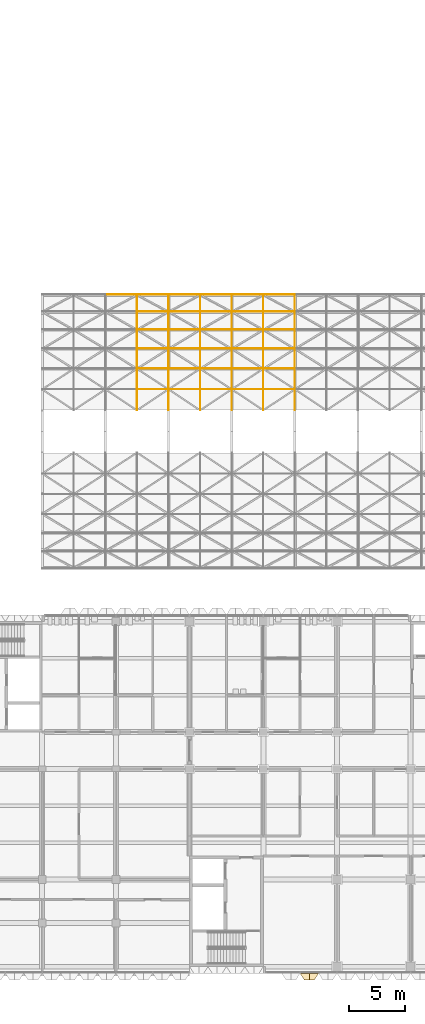
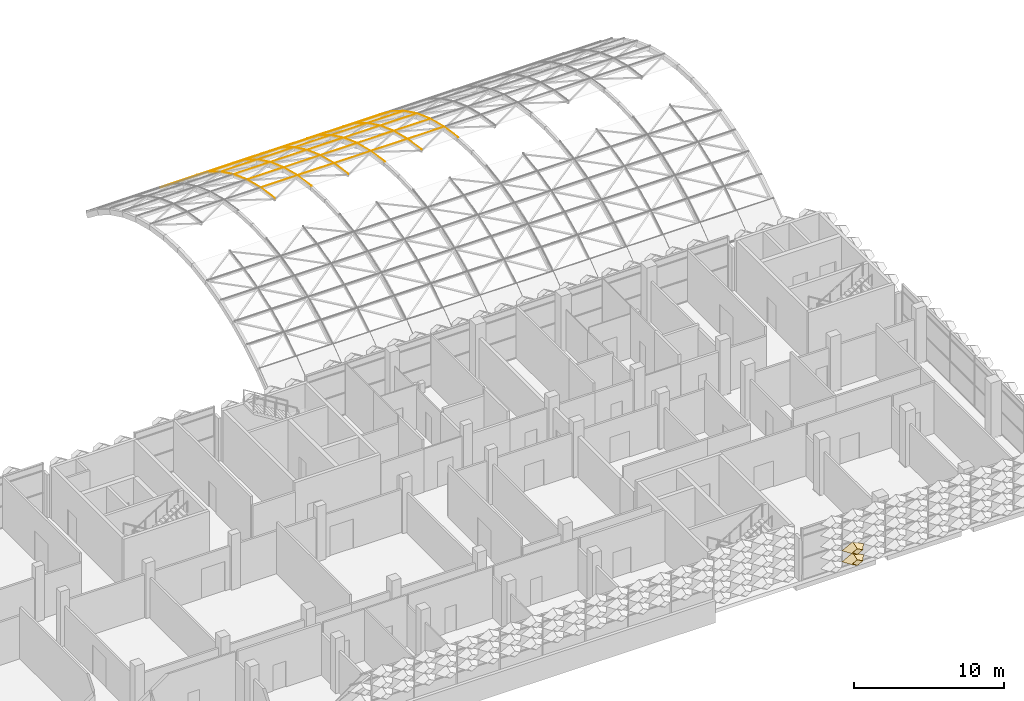
# One storey, part 59 of 85: 69 coverings.
"""IFC4 building model written with IfcOpenShell, lengths in metres."""

from ifc_helpers import new_model, entity, si_unit, direction, frame, origin, origin_2d, place, context, subcontext, project, spatial, rectangle, extrude, material, layer, layer_set, material_profile, profile_set, type_object, element, save


model = new_model("IFC4")

# Units and contexts
model_context = context("Model", 3, precision=1e-05, world=origin(), true_north=direction((0.0, 1.0)))
body_context = subcontext(model_context, "Body", "Model", "MODEL_VIEW")
ifc_project = project(units=[si_unit("LENGTHUNIT", "METRE"), si_unit("AREAUNIT", "SQUARE_METRE"), si_unit("VOLUMEUNIT", "CUBIC_METRE"), si_unit("PLANEANGLEUNIT", "RADIAN"), si_unit("MASSUNIT", "GRAM", prefix="KILO")], contexts=[model_context])

# Site, building, storey
site_placement = place(None, origin())
site = spatial("IfcSite", under=ifc_project, at=site_placement, CompositionType="ELEMENT")
building_placement = place(site_placement, origin())
building = spatial("IfcBuilding", under=site, at=building_placement, Name="Lantern Court Research Institute", CompositionType="ELEMENT")
storey_placement = place(building_placement, frame((0.0, 0.0, 18.89990234375)))
storey = spatial("IfcBuildingStorey", under=building, at=storey_placement, Name="L04", CompositionType="ELEMENT", Elevation=18.89990234375)

# Coverings
ifc_material_1 = material(Name="Anodised aluminium", Category="aluminium")
ifc_layer = layer(ifc_material_1, 0.01611328125)
ifc_layer_set = layer_set([ifc_layer], Name="Anodised aluminium")
covering_type_1 = type_object("IfcCoveringType", Name="Fin cassette 1650 x 900 x 600 aluminium", PredefinedType="CLADDING", material=ifc_layer_set)
covering_1_placement = place(storey_placement, frame((63.52490234375, -8.39990234375, 0.4501953125), z_axis=(0.0, -1.0, 0.0), x_axis=(1.0, 0.0, 0.0)))
cartesian_point_1 = entity("IfcCartesianPoint", [0.824951171875, 0.0])
cartesian_point_2 = entity("IfcCartesianPoint", [0.79150390625, 0.0])
cartesian_point_3 = entity("IfcCartesianPoint", [0.44189453125, 0.0])
cartesian_point_4 = entity("IfcCartesianPoint", [0.43359375, 0.0])
element("IfcCovering", 1, at=covering_1_placement, inside=storey, type_object=covering_type_1, Name="Fin cassette V5S-L04 1.39", PredefinedType="CLADDING", context=body_context, shape_type="SweptSolid", body=[
    entity("IfcExtrudedAreaSolidTapered", entity("IfcArbitraryProfileDefWithVoids", "AREA", None, entity("IfcPolyline", [cartesian_point_1, entity("IfcCartesianPoint", [0.0, 0.449951171875]), entity("IfcCartesianPoint", [-0.824951171875, 0.0]), entity("IfcCartesianPoint", [0.0, -0.449951171875]), cartesian_point_1]), [entity("IfcPolyline", [cartesian_point_2, entity("IfcCartesianPoint", [0.0, 0.431884765625]), entity("IfcCartesianPoint", [-0.79150390625, 0.0]), entity("IfcCartesianPoint", [0.0, -0.431884765625]), cartesian_point_2])]), entity("IfcAxis2Placement3D", entity("IfcCartesianPoint", [0.0, 0.0, 0.0])), entity("IfcDirection", [0.0, 0.0, 1.0]), 0.60009765625, entity("IfcArbitraryProfileDefWithVoids", "AREA", None, entity("IfcPolyline", [cartesian_point_3, entity("IfcCartesianPoint", [0.0, 0.240966796875]), entity("IfcCartesianPoint", [-0.44189453125, 0.0]), entity("IfcCartesianPoint", [0.0, -0.240966796875]), cartesian_point_3]), [entity("IfcPolyline", [cartesian_point_4, entity("IfcCartesianPoint", [0.0, 0.236572265625]), entity("IfcCartesianPoint", [-0.43359375, 0.0]), entity("IfcCartesianPoint", [0.0, -0.236572265625]), cartesian_point_4])])),
])
covering_2_placement = place(storey_placement, frame((63.52490234375, -8.39990234375, 1.35009765625), z_axis=(0.0, -1.0, 0.0), x_axis=(1.0, 0.0, 0.0)))
cartesian_point_5 = entity("IfcCartesianPoint", [0.824951171875, 0.0])
cartesian_point_6 = entity("IfcCartesianPoint", [0.79150390625, 0.0])
cartesian_point_7 = entity("IfcCartesianPoint", [0.44189453125, 0.0])
cartesian_point_8 = entity("IfcCartesianPoint", [0.43359375, 0.0])
element("IfcCovering", 2, at=covering_2_placement, inside=storey, type_object=covering_type_1, Name="Fin cassette V5S-L04 2.39", PredefinedType="CLADDING", context=body_context, shape_type="SweptSolid", body=[
    entity("IfcExtrudedAreaSolidTapered", entity("IfcArbitraryProfileDefWithVoids", "AREA", None, entity("IfcPolyline", [cartesian_point_5, entity("IfcCartesianPoint", [0.0, 0.449951171875]), entity("IfcCartesianPoint", [-0.824951171875, 0.0]), entity("IfcCartesianPoint", [0.0, -0.449951171875]), cartesian_point_5]), [entity("IfcPolyline", [cartesian_point_6, entity("IfcCartesianPoint", [0.0, 0.431884765625]), entity("IfcCartesianPoint", [-0.79150390625, 0.0]), entity("IfcCartesianPoint", [0.0, -0.431884765625]), cartesian_point_6])]), entity("IfcAxis2Placement3D", entity("IfcCartesianPoint", [0.0, 0.0, 0.0])), entity("IfcDirection", [0.0, 0.0, 1.0]), 0.60009765625, entity("IfcArbitraryProfileDefWithVoids", "AREA", None, entity("IfcPolyline", [cartesian_point_7, entity("IfcCartesianPoint", [0.0, 0.240966796875]), entity("IfcCartesianPoint", [-0.44189453125, 0.0]), entity("IfcCartesianPoint", [0.0, -0.240966796875]), cartesian_point_7]), [entity("IfcPolyline", [cartesian_point_8, entity("IfcCartesianPoint", [0.0, 0.236572265625]), entity("IfcCartesianPoint", [-0.43359375, 0.0]), entity("IfcCartesianPoint", [0.0, -0.236572265625]), cartesian_point_8])])),
])
ifc_material_2 = material(Name="Aluminium alloy 6063-T6", Category="aluminium")
ifc_material_profile_1 = material_profile(ifc_material_2, rectangle(XDim=0.01806640625, YDim=0.035888671875, at=origin_2d()), Name="Joint cover bar 18 x 36")
ifc_profile_set_1 = profile_set([ifc_material_profile_1], Name="Aluminium alloy 6063-T6")
covering_type_2 = type_object("IfcCoveringType", Name="Joint cover bar 18 x 36", PredefinedType="MOLDING", material=ifc_profile_set_1)
for number, where, z_axis, x_axis, name in (
    (3, (48.085693359375, 42.02783203125, 4.6220703125), (0.0, 0.988622571714, -0.150417454764), (-1.0, 0.0, 0.0), "Joint cover bar"),
    (4, (48.085693359375, 43.910400390625, 4.33544921875), (0.0, 0.968474356566, -0.249113268764), (-1.0, 0.0, 0.0), "Joint cover bar"),
):
    element("IfcCovering", number, at=place(storey_placement, frame(where, z_axis=z_axis, x_axis=x_axis)), inside=storey, type_object=covering_type_2, Name=name, PredefinedType="MOLDING", context=body_context, shape_type="SweptSolid", body=[
        extrude(rectangle(XDim=0.01806640625, YDim=0.035888671875, at=origin_2d()), origin(), (0.0, 0.0, 1.0), 1.90234375),
    ])
for number, where, z_axis, x_axis, name in (
    (5, (48.095703125, 43.909423828125, 4.335693359375), (1.0, 0.0, 0.0), (0.0, 0.979787176632, -0.200042716708), "Joint cover bar"),
    (6, (48.095703125, 45.753662109375, 3.861328125), (1.0, 0.0, 0.0), (0.0, 0.954713115517, -0.29752792652), "Joint cover bar"),
):
    element("IfcCovering", number, at=place(storey_placement, frame(where, z_axis=z_axis, x_axis=x_axis)), inside=storey, type_object=covering_type_2, Name=name, PredefinedType="MOLDING", context=body_context, shape_type="SweptSolid", body=[
        extrude(rectangle(XDim=0.01806640625, YDim=0.035888671875, at=origin_2d()), origin(), (0.0, 0.0, 1.0), 2.80859375),
    ])
for number, where, z_axis, x_axis, name in (
    (7, (50.914306640625, 42.02783203125, 4.6220703125), (0.0, 0.988622571714, -0.150417454764), (-1.0, 0.0, 0.0), "Joint cover bar"),
    (8, (50.914306640625, 43.910400390625, 4.33544921875), (0.0, 0.968474356566, -0.249113268764), (-1.0, 0.0, 0.0), "Joint cover bar"),
):
    element("IfcCovering", number, at=place(storey_placement, frame(where, z_axis=z_axis, x_axis=x_axis)), inside=storey, type_object=covering_type_2, Name=name, PredefinedType="MOLDING", context=body_context, shape_type="SweptSolid", body=[
        extrude(rectangle(XDim=0.01806640625, YDim=0.035888671875, at=origin_2d()), origin(), (0.0, 0.0, 1.0), 1.90234375),
    ])
for number, where, z_axis, x_axis, name in (
    (9, (50.92431640625, 43.909423828125, 4.335693359375), (1.0, 0.0, 0.0), (0.0, 0.979787176632, -0.200042716708), "Joint cover bar"),
    (10, (50.92431640625, 45.753662109375, 3.861328125), (1.0, 0.0, 0.0), (0.0, 0.954713115517, -0.29752792652), "Joint cover bar"),
):
    element("IfcCovering", number, at=place(storey_placement, frame(where, z_axis=z_axis, x_axis=x_axis)), inside=storey, type_object=covering_type_2, Name=name, PredefinedType="MOLDING", context=body_context, shape_type="SweptSolid", body=[
        extrude(rectangle(XDim=0.01806640625, YDim=0.035888671875, at=origin_2d()), origin(), (0.0, 0.0, 1.0), 2.80859375),
    ])
for number, where, z_axis, x_axis, name in (
    (11, (53.742919921875, 42.02783203125, 4.6220703125), (0.0, 0.988622571714, -0.150417454764), (-1.0, 0.0, 0.0), "Joint cover bar"),
    (12, (53.742919921875, 43.910400390625, 4.33544921875), (0.0, 0.968474356566, -0.249113268764), (-1.0, 0.0, 0.0), "Joint cover bar"),
):
    element("IfcCovering", number, at=place(storey_placement, frame(where, z_axis=z_axis, x_axis=x_axis)), inside=storey, type_object=covering_type_2, Name=name, PredefinedType="MOLDING", context=body_context, shape_type="SweptSolid", body=[
        extrude(rectangle(XDim=0.01806640625, YDim=0.035888671875, at=origin_2d()), origin(), (0.0, 0.0, 1.0), 1.90234375),
    ])
for number, where, z_axis, x_axis, name in (
    (13, (53.7529296875, 43.909423828125, 4.335693359375), (1.0, 0.0, 0.0), (0.0, 0.979787176632, -0.200042716708), "Joint cover bar"),
    (14, (53.7529296875, 45.753662109375, 3.861328125), (1.0, 0.0, 0.0), (0.0, 0.954713115517, -0.29752792652), "Joint cover bar"),
):
    element("IfcCovering", number, at=place(storey_placement, frame(where, z_axis=z_axis, x_axis=x_axis)), inside=storey, type_object=covering_type_2, Name=name, PredefinedType="MOLDING", context=body_context, shape_type="SweptSolid", body=[
        extrude(rectangle(XDim=0.01806640625, YDim=0.035888671875, at=origin_2d()), origin(), (0.0, 0.0, 1.0), 2.80859375),
    ])
for number, where, z_axis, x_axis, name in (
    (15, (56.571533203125, 42.02783203125, 4.6220703125), (0.0, 0.988622571714, -0.150417454764), (-1.0, 0.0, 0.0), "Joint cover bar"),
    (16, (56.571533203125, 43.910400390625, 4.33544921875), (0.0, 0.968474356566, -0.249113268764), (-1.0, 0.0, 0.0), "Joint cover bar"),
):
    element("IfcCovering", number, at=place(storey_placement, frame(where, z_axis=z_axis, x_axis=x_axis)), inside=storey, type_object=covering_type_2, Name=name, PredefinedType="MOLDING", context=body_context, shape_type="SweptSolid", body=[
        extrude(rectangle(XDim=0.01806640625, YDim=0.035888671875, at=origin_2d()), origin(), (0.0, 0.0, 1.0), 1.90234375),
    ])
for number, where, z_axis, x_axis, name in (
    (17, (56.58154296875, 43.909423828125, 4.335693359375), (1.0, 0.0, 0.0), (0.0, 0.979787176632, -0.200042716708), "Joint cover bar"),
    (18, (56.58154296875, 45.753662109375, 3.861328125), (1.0, 0.0, 0.0), (0.0, 0.954713115517, -0.29752792652), "Joint cover bar"),
):
    element("IfcCovering", number, at=place(storey_placement, frame(where, z_axis=z_axis, x_axis=x_axis)), inside=storey, type_object=covering_type_2, Name=name, PredefinedType="MOLDING", context=body_context, shape_type="SweptSolid", body=[
        extrude(rectangle(XDim=0.01806640625, YDim=0.035888671875, at=origin_2d()), origin(), (0.0, 0.0, 1.0), 2.808349609375),
    ])
for number, where, z_axis, x_axis, name in (
    (19, (59.39990234375, 42.02783203125, 4.6220703125), (0.0, 0.988622571714, -0.150417454764), (-1.0, 0.0, 0.0), "Joint cover bar"),
    (20, (59.39990234375, 43.910400390625, 4.33544921875), (0.0, 0.968474356566, -0.249113268764), (-1.0, 0.0, 0.0), "Joint cover bar"),
):
    element("IfcCovering", number, at=place(storey_placement, frame(where, z_axis=z_axis, x_axis=x_axis)), inside=storey, type_object=covering_type_2, Name=name, PredefinedType="MOLDING", context=body_context, shape_type="SweptSolid", body=[
        extrude(rectangle(XDim=0.01806640625, YDim=0.035888671875, at=origin_2d()), origin(), (0.0, 0.0, 1.0), 1.90234375),
    ])
for number, where, z_axis, x_axis, name in (
    (21, (59.409912109375, 43.909423828125, 4.335693359375), (1.0, 0.0, 0.0), (0.0, 0.979787176632, -0.200042716708), "Joint cover bar"),
    (22, (59.409912109375, 45.753662109375, 3.861328125), (1.0, 0.0, 0.0), (0.0, 0.954713115517, -0.29752792652), "Joint cover bar"),
):
    element("IfcCovering", number, at=place(storey_placement, frame(where, z_axis=z_axis, x_axis=x_axis)), inside=storey, type_object=covering_type_2, Name=name, PredefinedType="MOLDING", context=body_context, shape_type="SweptSolid", body=[
        extrude(rectangle(XDim=0.01806640625, YDim=0.035888671875, at=origin_2d()), origin(), (0.0, 0.0, 1.0), 2.80859375),
    ])
for number, where, z_axis, x_axis, name in (
    (23, (62.228515625, 42.02783203125, 4.6220703125), (0.0, 0.988622571714, -0.150417454764), (-1.0, 0.0, 0.0), "Joint cover bar"),
    (24, (62.228515625, 43.910400390625, 4.33544921875), (0.0, 0.968474356566, -0.249113268764), (-1.0, 0.0, 0.0), "Joint cover bar"),
):
    element("IfcCovering", number, at=place(storey_placement, frame(where, z_axis=z_axis, x_axis=x_axis)), inside=storey, type_object=covering_type_2, Name=name, PredefinedType="MOLDING", context=body_context, shape_type="SweptSolid", body=[
        extrude(rectangle(XDim=0.01806640625, YDim=0.035888671875, at=origin_2d()), origin(), (0.0, 0.0, 1.0), 1.90234375),
    ])
ifc_material_3 = material(Name="Aluminium alloy 6063-T6", Category="aluminium")
ifc_material_profile_2 = material_profile(ifc_material_3, rectangle(XDim=0.01806640625, YDim=0.0439453125, at=origin_2d()), Name="Joint cover bar 18 x 44")
ifc_profile_set_2 = profile_set([ifc_material_profile_2], Name="Aluminium alloy 6063-T6")
covering_type_3 = type_object("IfcCoveringType", Name="Joint cover bar 18 x 44", PredefinedType="MOLDING", material=ifc_profile_set_2)
covering_3_placement = place(storey_placement, frame((45.26708984375, 52.3857421875, 0.21240234375), z_axis=(1.0, 0.0, 0.0), x_axis=(0.0, 0.761672913152, -0.647961706717)))
element("IfcCovering", 25, at=covering_3_placement, inside=storey, type_object=covering_type_3, Name="Joint cover bar", PredefinedType="MOLDING", context=body_context, shape_type="SweptSolid", body=[
    extrude(rectangle(XDim=0.01806640625, YDim=0.0439453125, at=origin_2d()), origin(), (0.0, 0.0, 1.0), 2.80859375),
])
covering_4_placement = place(storey_placement, frame((48.085693359375, 45.755859375, 3.86474609375), z_axis=(0.0, 0.938520472327, -0.345223584105), x_axis=(-1.0, 0.0, 0.0)))
element("IfcCovering", 26, at=covering_4_placement, inside=storey, type_object=covering_type_3, Name="Joint cover bar", PredefinedType="MOLDING", context=body_context, shape_type="SweptSolid", body=[
    extrude(rectangle(XDim=0.01806640625, YDim=0.0439453125, at=origin_2d()), origin(), (0.0, 0.0, 1.0), 1.90234375),
])
covering_5_placement = place(storey_placement, frame((48.085693359375, 47.54345703125, 3.207275390625), z_axis=(0.0, 0.899049454889, -0.437847093931), x_axis=(-1.0, 0.0, 0.0)))
element("IfcCovering", 27, at=covering_5_placement, inside=storey, type_object=covering_type_3, Name="Joint cover bar", PredefinedType="MOLDING", context=body_context, shape_type="SweptSolid", body=[
    extrude(rectangle(XDim=0.01806640625, YDim=0.0439453125, at=origin_2d()), origin(), (0.0, 0.0, 1.0), 1.902587890625),
])
covering_6_placement = place(storey_placement, frame((48.095703125, 47.54248046875, 3.207763671875), z_axis=(1.0, 0.0, 0.0), x_axis=(0.0, 0.919965822984, -0.391998577219)))
element("IfcCovering", 28, at=covering_6_placement, inside=storey, type_object=covering_type_3, Name="Joint cover bar", PredefinedType="MOLDING", context=body_context, shape_type="SweptSolid", body=[
    extrude(rectangle(XDim=0.01806640625, YDim=0.0439453125, at=origin_2d()), origin(), (0.0, 0.0, 1.0), 2.80859375),
])
covering_7_placement = place(storey_placement, frame((48.085693359375, 49.255859375, 2.373291015625), z_axis=(0.0, 0.850462004525, -0.526036480541), x_axis=(-1.0, 0.0, 0.0)))
element("IfcCovering", 29, at=covering_7_placement, inside=storey, type_object=covering_type_3, Name="Joint cover bar", PredefinedType="MOLDING", context=body_context, shape_type="SweptSolid", body=[
    extrude(rectangle(XDim=0.01806640625, YDim=0.0439453125, at=origin_2d()), origin(), (0.0, 0.0, 1.0), 1.90234375),
])
covering_8_placement = place(storey_placement, frame((48.095703125, 49.2548828125, 2.373779296875), z_axis=(1.0, 0.0, 0.0), x_axis=(0.0, 0.875897373228, -0.482497452399)))
element("IfcCovering", 30, at=covering_8_placement, inside=storey, type_object=covering_type_3, Name="Joint cover bar", PredefinedType="MOLDING", context=body_context, shape_type="SweptSolid", body=[
    extrude(rectangle(XDim=0.01806640625, YDim=0.0439453125, at=origin_2d()), origin(), (0.0, 0.0, 1.0), 2.80859375),
])
covering_9_placement = place(storey_placement, frame((48.085693359375, 50.875732421875, 1.371337890625), z_axis=(0.0, 0.793329505358, -0.608792490039), x_axis=(-1.0, 0.0, 0.0)))
element("IfcCovering", 31, at=covering_9_placement, inside=storey, type_object=covering_type_3, Name="Joint cover bar", PredefinedType="MOLDING", context=body_context, shape_type="SweptSolid", body=[
    extrude(rectangle(XDim=0.01806640625, YDim=0.0439453125, at=origin_2d()), origin(), (0.0, 0.0, 1.0), 1.90234375),
])
for number, where, z_axis, x_axis, name in (
    (32, (48.095703125, 50.874755859375, 1.3720703125), (1.0, 0.0, 0.0), (0.0, 0.822954255966, -0.568107641726), "Joint cover bar"),
    (33, (48.095703125, 52.3857421875, 0.21240234375), (1.0, 0.0, 0.0), (0.0, 0.761672913152, -0.647961706717), "Joint cover bar"),
):
    element("IfcCovering", number, at=place(storey_placement, frame(where, z_axis=z_axis, x_axis=x_axis)), inside=storey, type_object=covering_type_3, Name=name, PredefinedType="MOLDING", context=body_context, shape_type="SweptSolid", body=[
        extrude(rectangle(XDim=0.01806640625, YDim=0.0439453125, at=origin_2d()), origin(), (0.0, 0.0, 1.0), 2.80859375),
    ])
covering_10_placement = place(storey_placement, frame((50.914306640625, 45.755859375, 3.86474609375), z_axis=(0.0, 0.938520472327, -0.345223584105), x_axis=(-1.0, 0.0, 0.0)))
element("IfcCovering", 34, at=covering_10_placement, inside=storey, type_object=covering_type_3, Name="Joint cover bar", PredefinedType="MOLDING", context=body_context, shape_type="SweptSolid", body=[
    extrude(rectangle(XDim=0.01806640625, YDim=0.0439453125, at=origin_2d()), origin(), (0.0, 0.0, 1.0), 1.90234375),
])
covering_11_placement = place(storey_placement, frame((50.914306640625, 47.54345703125, 3.207275390625), z_axis=(0.0, 0.899049454889, -0.437847093931), x_axis=(-1.0, 0.0, 0.0)))
element("IfcCovering", 35, at=covering_11_placement, inside=storey, type_object=covering_type_3, Name="Joint cover bar", PredefinedType="MOLDING", context=body_context, shape_type="SweptSolid", body=[
    extrude(rectangle(XDim=0.01806640625, YDim=0.0439453125, at=origin_2d()), origin(), (0.0, 0.0, 1.0), 1.902587890625),
])
covering_12_placement = place(storey_placement, frame((50.92431640625, 47.54248046875, 3.207763671875), z_axis=(1.0, 0.0, 0.0), x_axis=(0.0, 0.919965822984, -0.391998577219)))
element("IfcCovering", 36, at=covering_12_placement, inside=storey, type_object=covering_type_3, Name="Joint cover bar", PredefinedType="MOLDING", context=body_context, shape_type="SweptSolid", body=[
    extrude(rectangle(XDim=0.01806640625, YDim=0.0439453125, at=origin_2d()), origin(), (0.0, 0.0, 1.0), 2.80859375),
])
covering_13_placement = place(storey_placement, frame((50.914306640625, 49.255859375, 2.373291015625), z_axis=(0.0, 0.850462004525, -0.526036480541), x_axis=(-1.0, 0.0, 0.0)))
element("IfcCovering", 37, at=covering_13_placement, inside=storey, type_object=covering_type_3, Name="Joint cover bar", PredefinedType="MOLDING", context=body_context, shape_type="SweptSolid", body=[
    extrude(rectangle(XDim=0.01806640625, YDim=0.0439453125, at=origin_2d()), origin(), (0.0, 0.0, 1.0), 1.90234375),
])
covering_14_placement = place(storey_placement, frame((50.92431640625, 49.2548828125, 2.373779296875), z_axis=(1.0, 0.0, 0.0), x_axis=(0.0, 0.875897373228, -0.482497452399)))
element("IfcCovering", 38, at=covering_14_placement, inside=storey, type_object=covering_type_3, Name="Joint cover bar", PredefinedType="MOLDING", context=body_context, shape_type="SweptSolid", body=[
    extrude(rectangle(XDim=0.01806640625, YDim=0.0439453125, at=origin_2d()), origin(), (0.0, 0.0, 1.0), 2.80859375),
])
covering_15_placement = place(storey_placement, frame((50.914306640625, 50.875732421875, 1.371337890625), z_axis=(0.0, 0.793329505358, -0.608792490039), x_axis=(-1.0, 0.0, 0.0)))
element("IfcCovering", 39, at=covering_15_placement, inside=storey, type_object=covering_type_3, Name="Joint cover bar", PredefinedType="MOLDING", context=body_context, shape_type="SweptSolid", body=[
    extrude(rectangle(XDim=0.01806640625, YDim=0.0439453125, at=origin_2d()), origin(), (0.0, 0.0, 1.0), 1.90234375),
])
for number, where, z_axis, x_axis, name in (
    (40, (50.92431640625, 50.874755859375, 1.3720703125), (1.0, 0.0, 0.0), (0.0, 0.822954255966, -0.568107641726), "Joint cover bar"),
    (41, (50.92431640625, 52.3857421875, 0.21240234375), (1.0, 0.0, 0.0), (0.0, 0.761672913152, -0.647961706717), "Joint cover bar"),
):
    element("IfcCovering", number, at=place(storey_placement, frame(where, z_axis=z_axis, x_axis=x_axis)), inside=storey, type_object=covering_type_3, Name=name, PredefinedType="MOLDING", context=body_context, shape_type="SweptSolid", body=[
        extrude(rectangle(XDim=0.01806640625, YDim=0.0439453125, at=origin_2d()), origin(), (0.0, 0.0, 1.0), 2.80859375),
    ])
covering_16_placement = place(storey_placement, frame((53.742919921875, 45.755859375, 3.86474609375), z_axis=(0.0, 0.938520472327, -0.345223584105), x_axis=(-1.0, 0.0, 0.0)))
element("IfcCovering", 42, at=covering_16_placement, inside=storey, type_object=covering_type_3, Name="Joint cover bar", PredefinedType="MOLDING", context=body_context, shape_type="SweptSolid", body=[
    extrude(rectangle(XDim=0.01806640625, YDim=0.0439453125, at=origin_2d()), origin(), (0.0, 0.0, 1.0), 1.90234375),
])
covering_17_placement = place(storey_placement, frame((53.742919921875, 47.54345703125, 3.207275390625), z_axis=(0.0, 0.899049454889, -0.437847093931), x_axis=(-1.0, 0.0, 0.0)))
element("IfcCovering", 43, at=covering_17_placement, inside=storey, type_object=covering_type_3, Name="Joint cover bar", PredefinedType="MOLDING", context=body_context, shape_type="SweptSolid", body=[
    extrude(rectangle(XDim=0.01806640625, YDim=0.0439453125, at=origin_2d()), origin(), (0.0, 0.0, 1.0), 1.902587890625),
])
covering_18_placement = place(storey_placement, frame((53.7529296875, 47.54248046875, 3.207763671875), z_axis=(1.0, 0.0, 0.0), x_axis=(0.0, 0.919965822984, -0.391998577219)))
element("IfcCovering", 44, at=covering_18_placement, inside=storey, type_object=covering_type_3, Name="Joint cover bar", PredefinedType="MOLDING", context=body_context, shape_type="SweptSolid", body=[
    extrude(rectangle(XDim=0.01806640625, YDim=0.0439453125, at=origin_2d()), origin(), (0.0, 0.0, 1.0), 2.80859375),
])
covering_19_placement = place(storey_placement, frame((53.742919921875, 49.255859375, 2.373291015625), z_axis=(0.0, 0.850462004525, -0.526036480541), x_axis=(-1.0, 0.0, 0.0)))
element("IfcCovering", 45, at=covering_19_placement, inside=storey, type_object=covering_type_3, Name="Joint cover bar", PredefinedType="MOLDING", context=body_context, shape_type="SweptSolid", body=[
    extrude(rectangle(XDim=0.01806640625, YDim=0.0439453125, at=origin_2d()), origin(), (0.0, 0.0, 1.0), 1.90234375),
])
covering_20_placement = place(storey_placement, frame((53.7529296875, 49.2548828125, 2.373779296875), z_axis=(1.0, 0.0, 0.0), x_axis=(0.0, 0.875897373228, -0.482497452399)))
element("IfcCovering", 46, at=covering_20_placement, inside=storey, type_object=covering_type_3, Name="Joint cover bar", PredefinedType="MOLDING", context=body_context, shape_type="SweptSolid", body=[
    extrude(rectangle(XDim=0.01806640625, YDim=0.0439453125, at=origin_2d()), origin(), (0.0, 0.0, 1.0), 2.80859375),
])
covering_21_placement = place(storey_placement, frame((53.742919921875, 50.875732421875, 1.371337890625), z_axis=(0.0, 0.793329505358, -0.608792490039), x_axis=(-1.0, 0.0, 0.0)))
element("IfcCovering", 47, at=covering_21_placement, inside=storey, type_object=covering_type_3, Name="Joint cover bar", PredefinedType="MOLDING", context=body_context, shape_type="SweptSolid", body=[
    extrude(rectangle(XDim=0.01806640625, YDim=0.0439453125, at=origin_2d()), origin(), (0.0, 0.0, 1.0), 1.90234375),
])
for number, where, z_axis, x_axis, name in (
    (48, (53.7529296875, 50.874755859375, 1.3720703125), (1.0, 0.0, 0.0), (0.0, 0.822954255966, -0.568107641726), "Joint cover bar"),
    (49, (53.7529296875, 52.3857421875, 0.21240234375), (1.0, 0.0, 0.0), (0.0, 0.761672913152, -0.647961706717), "Joint cover bar"),
):
    element("IfcCovering", number, at=place(storey_placement, frame(where, z_axis=z_axis, x_axis=x_axis)), inside=storey, type_object=covering_type_3, Name=name, PredefinedType="MOLDING", context=body_context, shape_type="SweptSolid", body=[
        extrude(rectangle(XDim=0.01806640625, YDim=0.0439453125, at=origin_2d()), origin(), (0.0, 0.0, 1.0), 2.80859375),
    ])
covering_22_placement = place(storey_placement, frame((56.571533203125, 45.755859375, 3.86474609375), z_axis=(0.0, 0.938520472327, -0.345223584105), x_axis=(-1.0, 0.0, 0.0)))
element("IfcCovering", 50, at=covering_22_placement, inside=storey, type_object=covering_type_3, Name="Joint cover bar", PredefinedType="MOLDING", context=body_context, shape_type="SweptSolid", body=[
    extrude(rectangle(XDim=0.01806640625, YDim=0.0439453125, at=origin_2d()), origin(), (0.0, 0.0, 1.0), 1.90234375),
])
covering_23_placement = place(storey_placement, frame((56.571533203125, 47.54345703125, 3.207275390625), z_axis=(0.0, 0.899049454889, -0.437847093931), x_axis=(-1.0, 0.0, 0.0)))
element("IfcCovering", 51, at=covering_23_placement, inside=storey, type_object=covering_type_3, Name="Joint cover bar", PredefinedType="MOLDING", context=body_context, shape_type="SweptSolid", body=[
    extrude(rectangle(XDim=0.01806640625, YDim=0.0439453125, at=origin_2d()), origin(), (0.0, 0.0, 1.0), 1.902587890625),
])
covering_24_placement = place(storey_placement, frame((56.58154296875, 47.54248046875, 3.207763671875), z_axis=(1.0, 0.0, 0.0), x_axis=(0.0, 0.919965822984, -0.391998577219)))
element("IfcCovering", 52, at=covering_24_placement, inside=storey, type_object=covering_type_3, Name="Joint cover bar", PredefinedType="MOLDING", context=body_context, shape_type="SweptSolid", body=[
    extrude(rectangle(XDim=0.01806640625, YDim=0.0439453125, at=origin_2d()), origin(), (0.0, 0.0, 1.0), 2.808349609375),
])
covering_25_placement = place(storey_placement, frame((56.571533203125, 49.255859375, 2.373291015625), z_axis=(0.0, 0.850462004525, -0.526036480541), x_axis=(-1.0, 0.0, 0.0)))
element("IfcCovering", 53, at=covering_25_placement, inside=storey, type_object=covering_type_3, Name="Joint cover bar", PredefinedType="MOLDING", context=body_context, shape_type="SweptSolid", body=[
    extrude(rectangle(XDim=0.01806640625, YDim=0.0439453125, at=origin_2d()), origin(), (0.0, 0.0, 1.0), 1.90234375),
])
covering_26_placement = place(storey_placement, frame((56.58154296875, 49.2548828125, 2.373779296875), z_axis=(1.0, 0.0, 0.0), x_axis=(0.0, 0.875897373228, -0.482497452399)))
element("IfcCovering", 54, at=covering_26_placement, inside=storey, type_object=covering_type_3, Name="Joint cover bar", PredefinedType="MOLDING", context=body_context, shape_type="SweptSolid", body=[
    extrude(rectangle(XDim=0.01806640625, YDim=0.0439453125, at=origin_2d()), origin(), (0.0, 0.0, 1.0), 2.808349609375),
])
covering_27_placement = place(storey_placement, frame((56.571533203125, 50.875732421875, 1.371337890625), z_axis=(0.0, 0.793329505358, -0.608792490039), x_axis=(-1.0, 0.0, 0.0)))
element("IfcCovering", 55, at=covering_27_placement, inside=storey, type_object=covering_type_3, Name="Joint cover bar", PredefinedType="MOLDING", context=body_context, shape_type="SweptSolid", body=[
    extrude(rectangle(XDim=0.01806640625, YDim=0.0439453125, at=origin_2d()), origin(), (0.0, 0.0, 1.0), 1.90234375),
])
for number, where, z_axis, x_axis, name in (
    (56, (56.58154296875, 50.874755859375, 1.3720703125), (1.0, 0.0, 0.0), (0.0, 0.822954255966, -0.568107641726), "Joint cover bar"),
    (57, (56.58154296875, 52.3857421875, 0.21240234375), (1.0, 0.0, 0.0), (0.0, 0.761672913152, -0.647961706717), "Joint cover bar"),
):
    element("IfcCovering", number, at=place(storey_placement, frame(where, z_axis=z_axis, x_axis=x_axis)), inside=storey, type_object=covering_type_3, Name=name, PredefinedType="MOLDING", context=body_context, shape_type="SweptSolid", body=[
        extrude(rectangle(XDim=0.01806640625, YDim=0.0439453125, at=origin_2d()), origin(), (0.0, 0.0, 1.0), 2.808349609375),
    ])
covering_28_placement = place(storey_placement, frame((59.39990234375, 45.755859375, 3.86474609375), z_axis=(0.0, 0.938520472327, -0.345223584105), x_axis=(-1.0, 0.0, 0.0)))
element("IfcCovering", 58, at=covering_28_placement, inside=storey, type_object=covering_type_3, Name="Joint cover bar", PredefinedType="MOLDING", context=body_context, shape_type="SweptSolid", body=[
    extrude(rectangle(XDim=0.01806640625, YDim=0.0439453125, at=origin_2d()), origin(), (0.0, 0.0, 1.0), 1.90234375),
])
covering_29_placement = place(storey_placement, frame((59.39990234375, 47.54345703125, 3.207275390625), z_axis=(0.0, 0.899049454889, -0.437847093931), x_axis=(-1.0, 0.0, 0.0)))
element("IfcCovering", 59, at=covering_29_placement, inside=storey, type_object=covering_type_3, Name="Joint cover bar", PredefinedType="MOLDING", context=body_context, shape_type="SweptSolid", body=[
    extrude(rectangle(XDim=0.01806640625, YDim=0.0439453125, at=origin_2d()), origin(), (0.0, 0.0, 1.0), 1.902587890625),
])
covering_30_placement = place(storey_placement, frame((59.409912109375, 47.54248046875, 3.207763671875), z_axis=(1.0, 0.0, 0.0), x_axis=(0.0, 0.919965822984, -0.391998577219)))
element("IfcCovering", 60, at=covering_30_placement, inside=storey, type_object=covering_type_3, Name="Joint cover bar", PredefinedType="MOLDING", context=body_context, shape_type="SweptSolid", body=[
    extrude(rectangle(XDim=0.01806640625, YDim=0.0439453125, at=origin_2d()), origin(), (0.0, 0.0, 1.0), 2.80859375),
])
covering_31_placement = place(storey_placement, frame((59.39990234375, 49.255859375, 2.373291015625), z_axis=(0.0, 0.850462004525, -0.526036480541), x_axis=(-1.0, 0.0, 0.0)))
element("IfcCovering", 61, at=covering_31_placement, inside=storey, type_object=covering_type_3, Name="Joint cover bar", PredefinedType="MOLDING", context=body_context, shape_type="SweptSolid", body=[
    extrude(rectangle(XDim=0.01806640625, YDim=0.0439453125, at=origin_2d()), origin(), (0.0, 0.0, 1.0), 1.90234375),
])
covering_32_placement = place(storey_placement, frame((59.409912109375, 49.2548828125, 2.373779296875), z_axis=(1.0, 0.0, 0.0), x_axis=(0.0, 0.875897373228, -0.482497452399)))
element("IfcCovering", 62, at=covering_32_placement, inside=storey, type_object=covering_type_3, Name="Joint cover bar", PredefinedType="MOLDING", context=body_context, shape_type="SweptSolid", body=[
    extrude(rectangle(XDim=0.01806640625, YDim=0.0439453125, at=origin_2d()), origin(), (0.0, 0.0, 1.0), 2.80859375),
])
covering_33_placement = place(storey_placement, frame((59.39990234375, 50.875732421875, 1.371337890625), z_axis=(0.0, 0.793329505358, -0.608792490039), x_axis=(-1.0, 0.0, 0.0)))
element("IfcCovering", 63, at=covering_33_placement, inside=storey, type_object=covering_type_3, Name="Joint cover bar", PredefinedType="MOLDING", context=body_context, shape_type="SweptSolid", body=[
    extrude(rectangle(XDim=0.01806640625, YDim=0.0439453125, at=origin_2d()), origin(), (0.0, 0.0, 1.0), 1.90234375),
])
for number, where, z_axis, x_axis, name in (
    (64, (59.409912109375, 50.874755859375, 1.3720703125), (1.0, 0.0, 0.0), (0.0, 0.822954255966, -0.568107641726), "Joint cover bar"),
    (65, (59.409912109375, 52.3857421875, 0.21240234375), (1.0, 0.0, 0.0), (0.0, 0.761672913152, -0.647961706717), "Joint cover bar"),
):
    element("IfcCovering", number, at=place(storey_placement, frame(where, z_axis=z_axis, x_axis=x_axis)), inside=storey, type_object=covering_type_3, Name=name, PredefinedType="MOLDING", context=body_context, shape_type="SweptSolid", body=[
        extrude(rectangle(XDim=0.01806640625, YDim=0.0439453125, at=origin_2d()), origin(), (0.0, 0.0, 1.0), 2.80859375),
    ])
covering_34_placement = place(storey_placement, frame((62.228515625, 45.755859375, 3.86474609375), z_axis=(0.0, 0.938520472327, -0.345223584105), x_axis=(-1.0, 0.0, 0.0)))
element("IfcCovering", 66, at=covering_34_placement, inside=storey, type_object=covering_type_3, Name="Joint cover bar", PredefinedType="MOLDING", context=body_context, shape_type="SweptSolid", body=[
    extrude(rectangle(XDim=0.01806640625, YDim=0.0439453125, at=origin_2d()), origin(), (0.0, 0.0, 1.0), 1.90234375),
])
covering_35_placement = place(storey_placement, frame((62.228515625, 47.54345703125, 3.207275390625), z_axis=(0.0, 0.899049454889, -0.437847093931), x_axis=(-1.0, 0.0, 0.0)))
element("IfcCovering", 67, at=covering_35_placement, inside=storey, type_object=covering_type_3, Name="Joint cover bar", PredefinedType="MOLDING", context=body_context, shape_type="SweptSolid", body=[
    extrude(rectangle(XDim=0.01806640625, YDim=0.0439453125, at=origin_2d()), origin(), (0.0, 0.0, 1.0), 1.902587890625),
])
for number, where, z_axis, x_axis, name in (
    (68, (62.228515625, 49.255859375, 2.373291015625), (0.0, 0.850462004525, -0.526036480541), (-1.0, 0.0, 0.0), "Joint cover bar"),
    (69, (62.228515625, 50.875732421875, 1.371337890625), (0.0, 0.793329505358, -0.608792490039), (-1.0, 0.0, 0.0), "Joint cover bar"),
):
    element("IfcCovering", number, at=place(storey_placement, frame(where, z_axis=z_axis, x_axis=x_axis)), inside=storey, type_object=covering_type_3, Name=name, PredefinedType="MOLDING", context=body_context, shape_type="SweptSolid", body=[
        extrude(rectangle(XDim=0.01806640625, YDim=0.0439453125, at=origin_2d()), origin(), (0.0, 0.0, 1.0), 1.90234375),
    ])

save(model, "model.ifc")
